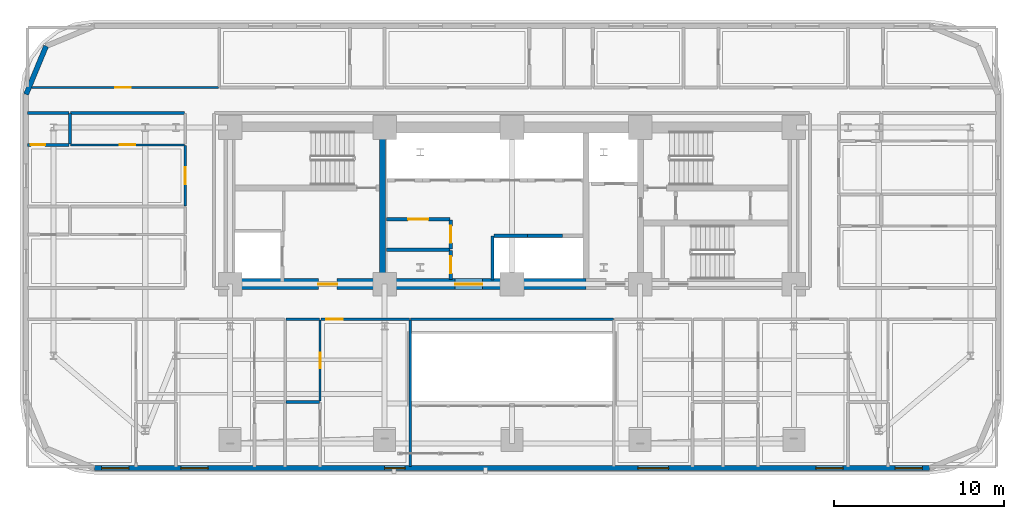
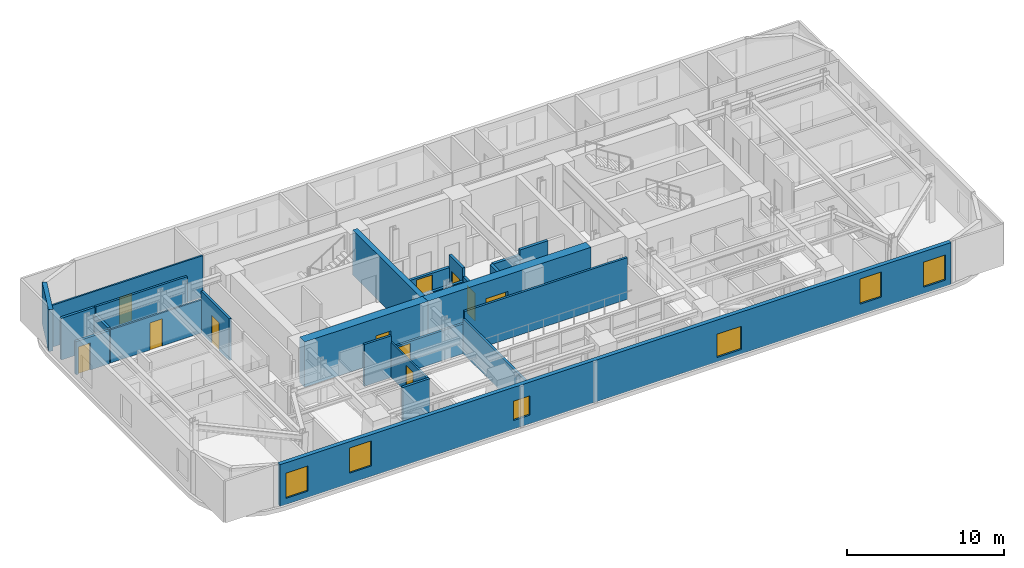
# One storey, part 9 of 16: 25 walls, 11 doors, 6 windows, 17 openings.
"""IFC4 building model written with IfcOpenShell, lengths in metres."""

from ifc_helpers import new_model, si_unit, direction, frame, frame_2d, origin, place, context, subcontext, project, spatial, rectangle, extrude, material, layer, layer_set, type_object, element, fill, save


model = new_model("IFC4")

# Units and contexts
model_context = context("Model", 3, precision=1e-05, world=origin(), true_north=direction((0.0, 1.0)))
body_context = subcontext(model_context, "Body", "Model", "MODEL_VIEW")
ifc_project = project(units=[si_unit("LENGTHUNIT", "METRE"), si_unit("AREAUNIT", "SQUARE_METRE"), si_unit("VOLUMEUNIT", "CUBIC_METRE"), si_unit("PLANEANGLEUNIT", "RADIAN"), si_unit("MASSUNIT", "GRAM", prefix="KILO")], contexts=[model_context])

# Site, building, storey
site_placement = place(None, origin())
site = spatial("IfcSite", under=ifc_project, at=site_placement, CompositionType="ELEMENT")
building_placement = place(site_placement, origin())
building = spatial("IfcBuilding", under=site, at=building_placement, Name="Zarnavel Station Tower", CompositionType="ELEMENT")
storey_placement = place(building_placement, frame((0.0, 0.0, 82.800048828125)))
storey = spatial("IfcBuildingStorey", under=building, at=storey_placement, Name="L22", CompositionType="ELEMENT", Elevation=82.800048828125)

# Wall
ifc_material_1 = material(Name="Concrete C50/60", Category="concrete")
ifc_layer_1 = layer(ifc_material_1, 0.35009765625)
ifc_layer_set_1 = layer_set([ifc_layer_1], Name="CW_350")
wall_type_1 = type_object("IfcWallType", Name="CW_350", PredefinedType="SHEAR", material=ifc_layer_set_1)
wall_1_placement = place(storey_placement, frame((21.179931640625, 28.14501953125, 0.0), z_axis=(0.0, 0.0, 1.0), x_axis=(0.0, 1.0, 0.0)))
element("IfcWall", 1, at=wall_1_placement, inside=storey, type_object=wall_type_1, Name="L22 Rear Core Shear Wall DIV-W", PredefinedType="SHEAR", context=body_context, shape_type="SweptSolid", body=[
    extrude(rectangle(XDim=8.580078125, YDim=0.35009765625, at=frame_2d((4.2900390625, 0.0))), origin(), (0.0, 0.0, 1.0), 3.5),
])

# Wall, opening, door
ifc_material_2 = material(Name="Concrete C60/75", Category="concrete")
ifc_layer_2 = layer(ifc_material_2, 0.64990234375)
ifc_layer_set_2 = layer_set([ifc_layer_2], Name="CW_650")
wall_type_2 = type_object("IfcWallType", Name="CW_650", PredefinedType="SHEAR", material=ifc_layer_set_2)
wall_2_placement = place(storey_placement, frame((21.179931640625, 27.820068359375, 0.0), z_axis=(0.0, 0.0, 1.0), x_axis=(-1.0, 0.0, 0.0)))
wall_2 = element("IfcWall", 2, at=wall_2_placement, inside=storey, type_object=wall_type_2, Name="L22 Rear Core Shear Wall S-W", PredefinedType="SHEAR", context=body_context, shape_type="SweptSolid", body=[
    extrude(rectangle(XDim=9.030029296875, YDim=0.64990234375, at=frame_2d((4.51513671875, 0.0))), origin(), (0.0, 0.0, 1.0), 3.5),
])
opening_1_placement = place(wall_2_placement, frame((2.679931640625, 0.0, 0.0)))
opening_1 = element("IfcOpeningElement", 3, at=opening_1_placement, cuts=wall_2, Name="Opening FD01", PredefinedType="OPENING", context=body_context, shape_type="SweptSolid", body=[
    extrude(rectangle(XDim=1.10009765625, YDim=2.14990234375, at=frame_2d((0.550048828125, 1.074951171875))), frame((0.0, 0.3349609375, 0.0), z_axis=(0.0, -1.0, 0.0), x_axis=(1.0, 0.0, 0.0)), (0.0, 0.0, 1.0), 0.669921875),
])
ifc_material_3 = material(Name="Painted Galvanised Steel and Hardwood Leaf", Category="steel")
door_type_1 = type_object("IfcDoorType", Name="ID_STAIR_1100", OperationType="NOTDEFINED", PredefinedType="DOOR", material=ifc_material_3)
door_1_placement = place(opening_1_placement, origin())
door_1 = element("IfcDoor", 4, at=door_1_placement, inside=storey, type_object=door_type_1, Name="L22 West Firefighting Lobby Door", OperationType="SINGLE_SWING_RIGHT", OverallHeight=2.14990234375, OverallWidth=1.10009765625, PredefinedType="DOOR", context=body_context, shape_type="SweptSolid", body=[
    extrude(rectangle(XDim=1.10009765625, YDim=2.14990234375, at=frame_2d((0.550048828125, 1.074951171875))), frame((0.0, 0.02490234375, 0.0), z_axis=(0.0, -1.0, 0.0), x_axis=(1.0, 0.0, 0.0)), (0.0, 0.0, 1.0), 0.050048828125),
])
fill(opening_1, door_1)

wall_3_placement = place(storey_placement, frame((33.14990234375, 27.820068359375, 0.0), z_axis=(0.0, 0.0, 1.0), x_axis=(-1.0, 0.0, 0.0)))
wall_3 = element("IfcWall", 5, at=wall_3_placement, inside=storey, type_object=wall_type_2, Name="L22 Rear Core Shear Wall S-M", PredefinedType="SHEAR", context=body_context, shape_type="SweptSolid", body=[
    extrude(rectangle(XDim=11.969970703125, YDim=0.64990234375, at=frame_2d((5.98486328125, 0.0))), origin(), (0.0, 0.0, 1.0), 3.5),
])
opening_2_placement = place(wall_3_placement, frame((6.10009765625, 0.0, 0.0)))
opening_2 = element("IfcOpeningElement", 6, at=opening_2_placement, cuts=wall_3, Name="Opening ID03", PredefinedType="OPENING", context=body_context, shape_type="SweptSolid", body=[
    extrude(rectangle(XDim=1.60009765625, YDim=2.199951171875, at=frame_2d((0.800048828125, 1.10009765625))), frame((0.0, 0.3349609375, 0.0), z_axis=(0.0, -1.0, 0.0), x_axis=(1.0, 0.0, 0.0)), (0.0, 0.0, 1.0), 0.669921875),
])
ifc_material_4 = material(Name="Painted Galvanised Steel and Hardwood Leaf", Category="steel")
door_type_2 = type_object("IfcDoorType", Name="ID_PUBLIC_1600", OperationType="DOUBLE_DOOR_SINGLE_SWING", PredefinedType="DOOR", material=ifc_material_4)
door_2_placement = place(opening_2_placement, origin())
door_2 = element("IfcDoor", 7, at=door_2_placement, inside=storey, type_object=door_type_2, Name="L22 Passenger Lift Lobby Double Door", OperationType="SINGLE_SWING_LEFT", OverallHeight=2.199951171875, OverallWidth=1.60009765625, PredefinedType="DOOR", context=body_context, shape_type="SweptSolid", body=[
    extrude(rectangle(XDim=1.60009765625, YDim=2.199951171875, at=frame_2d((0.800048828125, 1.10009765625))), frame((0.0, 0.02490234375, 0.0), z_axis=(0.0, -1.0, 0.0), x_axis=(1.0, 0.0, 0.0)), (0.0, 0.0, 1.0), 0.050048828125),
])
fill(opening_2, door_2)

# Wall
ifc_material_5 = material(Name="Precast concrete C45/55 (Dark Basalt Finish)", Category="masonry")
ifc_layer_3 = layer(ifc_material_5, 0.300048828125)
ifc_layer_set_3 = layer_set([ifc_layer_3], Name="EW_BASALT_300")
wall_type_3 = type_object("IfcWallType", Name="EW_BASALT_300", PredefinedType="SOLIDWALL", material=ifc_layer_set_3)
wall_4_placement = place(storey_placement, frame((0.179931640625, 39.0, 0.0), z_axis=(0.0, 0.0, 1.0), x_axis=(0.382704529509, 0.923870793506, 0.0)))
element("IfcWall", 8, at=wall_4_placement, inside=storey, type_object=wall_type_3, Name="L22 Exterior Basalt Masonry Frame Wall 08", PredefinedType="SOLIDWALL", context=body_context, shape_type="SweptSolid", body=[
    extrude(rectangle(XDim=3.07666015625, YDim=0.300048828125, at=frame_2d((1.538330078125, 0.0))), origin(), (0.0, 0.0, 1.0), 3.239990234375),
])

# Wall, openings, windows
wall_5_placement = place(storey_placement, frame((53.39990234375, 16.97998046875, 0.0), z_axis=(0.0, 0.0, 1.0), x_axis=(-1.0, 0.0, 0.0)))
wall_5 = element("IfcWall", 9, at=wall_5_placement, inside=storey, type_object=wall_type_3, Name="L22 Exterior Basalt Masonry Frame Wall 12", PredefinedType="SOLIDWALL", context=body_context, shape_type="SweptSolid", body=[
    extrude(rectangle(XDim=49.199951171875, YDim=0.300048828125, at=frame_2d((24.60009765625, 0.0))), origin(), (0.0, 0.0, 1.0), 3.239990234375),
])
opening_3_placement = place(wall_5_placement, frame((47.1650390625, 0.0, 0.47998046875)))
opening_3 = element("IfcOpeningElement", 10, at=opening_3_placement, cuts=wall_5, Name="Opening WN06", PredefinedType="OPENING", context=body_context, shape_type="SweptSolid", body=[
    extrude(rectangle(XDim=1.60009765625, YDim=1.949951171875, at=frame_2d((0.800048828125, 0.97509765625))), frame((0.0, 0.159912109375, 0.0), z_axis=(0.0, -1.0, 0.0), x_axis=(1.0, 0.0, 0.0)), (0.0, 0.0, 1.0), 0.320068359375),
])
opening_4_placement = place(wall_5_placement, frame((42.5, 0.0, 0.800048828125)))
opening_4 = element("IfcOpeningElement", 11, at=opening_4_placement, cuts=wall_5, Name="Opening WN06", PredefinedType="OPENING", context=body_context, shape_type="SweptSolid", body=[
    extrude(rectangle(XDim=1.60009765625, YDim=1.949951171875, at=frame_2d((0.800048828125, 0.97509765625))), frame((0.0, 0.159912109375, 0.0), z_axis=(0.0, -1.0, 0.0), x_axis=(1.0, 0.0, 0.0)), (0.0, 0.0, 1.0), 0.320068359375),
])
opening_5_placement = place(wall_5_placement, frame((30.89990234375, 0.0, 0.679931640625)))
opening_5 = element("IfcOpeningElement", 12, at=opening_5_placement, cuts=wall_5, Name="Opening WN08", PredefinedType="OPENING", context=body_context, shape_type="SweptSolid", body=[
    extrude(rectangle(XDim=1.199951171875, YDim=1.5, at=frame_2d((0.60009765625, 0.75))), frame((0.0, 0.159912109375, 0.0), z_axis=(0.0, -1.0, 0.0), x_axis=(1.0, 0.0, 0.0)), (0.0, 0.0, 1.0), 0.320068359375),
])
opening_6_placement = place(wall_5_placement, frame((15.381591796875, 0.0, 0.340087890625)))
opening_6 = element("IfcOpeningElement", 13, at=opening_6_placement, cuts=wall_5, Name="Opening WN02", PredefinedType="OPENING", context=body_context, shape_type="SweptSolid", body=[
    extrude(rectangle(XDim=1.800048828125, YDim=1.800048828125, at=frame_2d((0.89990234375, 0.89990234375))), frame((0.0, 0.159912109375, 0.0), z_axis=(0.0, -1.0, 0.0), x_axis=(1.0, 0.0, 0.0)), (0.0, 0.0, 1.0), 0.320068359375),
])
opening_7_placement = place(wall_5_placement, frame((5.10009765625, 0.0, 0.800048828125)))
opening_7 = element("IfcOpeningElement", 14, at=opening_7_placement, cuts=wall_5, Name="Opening WN06", PredefinedType="OPENING", context=body_context, shape_type="SweptSolid", body=[
    extrude(rectangle(XDim=1.60009765625, YDim=1.949951171875, at=frame_2d((0.800048828125, 0.97509765625))), frame((0.0, 0.159912109375, 0.0), z_axis=(0.0, -1.0, 0.0), x_axis=(1.0, 0.0, 0.0)), (0.0, 0.0, 1.0), 0.320068359375),
])
opening_8_placement = place(wall_5_placement, frame((0.43505859375, 0.0, 0.47998046875)))
opening_8 = element("IfcOpeningElement", 15, at=opening_8_placement, cuts=wall_5, Name="Opening WN06", PredefinedType="OPENING", context=body_context, shape_type="SweptSolid", body=[
    extrude(rectangle(XDim=1.60009765625, YDim=1.949951171875, at=frame_2d((0.800048828125, 0.97509765625))), frame((0.0, 0.159912109375, 0.0), z_axis=(0.0, -1.0, 0.0), x_axis=(1.0, 0.0, 0.0)), (0.0, 0.0, 1.0), 0.320068359375),
])
ifc_material_6 = material(Name="Thermally Broken Black Aluminium and Low-E Dark Glass", Category="aluminium")
window_type_1 = type_object("IfcWindowType", Name="WN_1200x1500", PartitioningType="SINGLE_PANEL", PredefinedType="WINDOW", material=ifc_material_6)
window_1_placement = place(opening_5_placement, origin())
window_1 = element("IfcWindow", 16, at=window_1_placement, inside=storey, type_object=window_type_1, Name="L22 Recessed Facade Window 03", OverallHeight=1.5, OverallWidth=1.199951171875, PartitioningType="SINGLE_PANEL", PredefinedType="WINDOW", context=body_context, shape_type="SweptSolid", body=[
    extrude(rectangle(XDim=1.199951171875, YDim=1.5, at=frame_2d((0.60009765625, 0.75))), frame((0.0, 0.030029296875, 0.0), z_axis=(0.0, -1.0, 0.0), x_axis=(1.0, 0.0, 0.0)), (0.0, 0.0, 1.0), 0.06005859375),
])
fill(opening_5, window_1)
ifc_material_7 = material(Name="Thermally Broken Black Aluminium and Low-E Dark Glass", Category="aluminium")
window_type_2 = type_object("IfcWindowType", Name="WN_1600x1950", PartitioningType="DOUBLE_PANEL_VERTICAL", PredefinedType="WINDOW", material=ifc_material_7)
window_2_placement = place(opening_3_placement, origin())
window_2 = element("IfcWindow", 17, at=window_2_placement, inside=storey, type_object=window_type_2, Name="L22 Recessed Facade Window 01", OverallHeight=1.949951171875, OverallWidth=1.60009765625, PartitioningType="SINGLE_PANEL", PredefinedType="WINDOW", context=body_context, shape_type="SweptSolid", body=[
    extrude(rectangle(XDim=1.60009765625, YDim=1.949951171875, at=frame_2d((0.800048828125, 0.97509765625))), frame((0.0, 0.030029296875, 0.0), z_axis=(0.0, -1.0, 0.0), x_axis=(1.0, 0.0, 0.0)), (0.0, 0.0, 1.0), 0.06005859375),
])
fill(opening_3, window_2)
window_3_placement = place(opening_4_placement, origin())
window_3 = element("IfcWindow", 18, at=window_3_placement, inside=storey, type_object=window_type_2, Name="L22 Recessed Facade Window 02", OverallHeight=1.949951171875, OverallWidth=1.60009765625, PartitioningType="SINGLE_PANEL", PredefinedType="WINDOW", context=body_context, shape_type="SweptSolid", body=[
    extrude(rectangle(XDim=1.60009765625, YDim=1.949951171875, at=frame_2d((0.800048828125, 0.97509765625))), frame((0.0, 0.030029296875, 0.0), z_axis=(0.0, -1.0, 0.0), x_axis=(1.0, 0.0, 0.0)), (0.0, 0.0, 1.0), 0.06005859375),
])
fill(opening_4, window_3)
window_4_placement = place(opening_7_placement, origin())
window_4 = element("IfcWindow", 19, at=window_4_placement, inside=storey, type_object=window_type_2, Name="L22 Recessed Facade Window 05", OverallHeight=1.949951171875, OverallWidth=1.60009765625, PartitioningType="SINGLE_PANEL", PredefinedType="WINDOW", context=body_context, shape_type="SweptSolid", body=[
    extrude(rectangle(XDim=1.60009765625, YDim=1.949951171875, at=frame_2d((0.800048828125, 0.97509765625))), frame((0.0, 0.030029296875, 0.0), z_axis=(0.0, -1.0, 0.0), x_axis=(1.0, 0.0, 0.0)), (0.0, 0.0, 1.0), 0.06005859375),
])
fill(opening_7, window_4)
window_5_placement = place(opening_8_placement, origin())
window_5 = element("IfcWindow", 20, at=window_5_placement, inside=storey, type_object=window_type_2, Name="L22 Recessed Facade Window 06", OverallHeight=1.949951171875, OverallWidth=1.60009765625, PartitioningType="SINGLE_PANEL", PredefinedType="WINDOW", context=body_context, shape_type="SweptSolid", body=[
    extrude(rectangle(XDim=1.60009765625, YDim=1.949951171875, at=frame_2d((0.800048828125, 0.97509765625))), frame((0.0, 0.030029296875, 0.0), z_axis=(0.0, -1.0, 0.0), x_axis=(1.0, 0.0, 0.0)), (0.0, 0.0, 1.0), 0.06005859375),
])
fill(opening_8, window_5)
ifc_material_8 = material(Name="Thermally Broken Black Aluminium and Low-E Dark Glass", Category="aluminium")
window_type_3 = type_object("IfcWindowType", Name="WN_1800x1800", PartitioningType="DOUBLE_PANEL_VERTICAL", PredefinedType="WINDOW", material=ifc_material_8)
window_6_placement = place(opening_6_placement, origin())
window_6 = element("IfcWindow", 21, at=window_6_placement, inside=storey, type_object=window_type_3, Name="L22 Recessed Facade Window 04", OverallHeight=1.800048828125, OverallWidth=1.800048828125, PartitioningType="SINGLE_PANEL", PredefinedType="WINDOW", context=body_context, shape_type="SweptSolid", body=[
    extrude(rectangle(XDim=1.800048828125, YDim=1.800048828125, at=frame_2d((0.89990234375, 0.89990234375))), frame((0.0, 0.030029296875, 0.0), z_axis=(0.0, -1.0, 0.0), x_axis=(1.0, 0.0, 0.0)), (0.0, 0.0, 1.0), 0.06005859375),
])
fill(opening_6, window_6)

# Wall, opening, door
ifc_material_9 = material(Name="Gypsum Twin-Stud Acoustic Fire Partition", Category="concrete")
ifc_layer_4 = layer(ifc_material_9, 0.159912109375)
ifc_layer_set_4 = layer_set([ifc_layer_4], Name="PT_DEMISE_160")
wall_type_4 = type_object("IfcWallType", Name="PT_DEMISE_160", PredefinedType="PARTITIONING", material=ifc_layer_set_4)
wall_6_placement = place(storey_placement, frame((17.541015625, 25.75, 0.0), z_axis=(0.0, 0.0, 1.0), x_axis=(1.0, 0.0, 0.0)))
wall_6 = element("IfcWall", 22, at=wall_6_placement, inside=storey, type_object=wall_type_4, Name="L22 Partition COR-S-HW3R", PredefinedType="PARTITIONING", context=body_context, shape_type="SweptSolid", body=[
    extrude(rectangle(XDim=5.218994140625, YDim=0.159912109375, at=frame_2d((2.609375, 0.0))), origin(), (0.0, 0.0, 1.0), 2.31005859375),
])
opening_9_placement = place(wall_6_placement, frame((0.30419921875, 0.0, 0.0)))
opening_9 = element("IfcOpeningElement", 23, at=opening_9_placement, cuts=wall_6, Name="Opening FD02", PredefinedType="OPENING", context=body_context, shape_type="SweptSolid", body=[
    extrude(rectangle(XDim=1.0, YDim=2.14990234375, at=frame_2d((0.5, 1.074951171875))), frame((0.0, 0.08984375, 0.0), z_axis=(0.0, -1.0, 0.0), x_axis=(1.0, 0.0, 0.0)), (0.0, 0.0, 1.0), 0.179931640625),
])
ifc_material_10 = material(Name="Painted Galvanised Steel and Hardwood Leaf", Category="steel")
door_type_3 = type_object("IfcDoorType", Name="ID_ENTRY_1000", OperationType="NOTDEFINED", PredefinedType="DOOR", material=ifc_material_10)
door_3_placement = place(opening_9_placement, origin())
door_3 = element("IfcDoor", 24, at=door_3_placement, inside=storey, type_object=door_type_3, Name="L22 Door COR-S-HW3R", OperationType="SINGLE_SWING_LEFT", OverallHeight=2.14990234375, OverallWidth=1.0, PredefinedType="DOOR", context=body_context, shape_type="SweptSolid", body=[
    extrude(rectangle(XDim=1.0, YDim=2.14990234375, at=frame_2d((0.5, 1.074951171875))), frame((0.0, 0.02490234375, 0.0), z_axis=(0.0, -1.0, 0.0), x_axis=(1.0, 0.0, 0.0)), (0.0, 0.0, 1.0), 0.050048828125),
])
fill(opening_9, door_3)

# Wall
wall_7_placement = place(storey_placement, frame((15.47998046875, 25.75, 0.0), z_axis=(0.0, 0.0, 1.0), x_axis=(1.0, 0.0, 0.0)))
element("IfcWall", 25, at=wall_7_placement, inside=storey, type_object=wall_type_4, Name="L22 Partition COR-S-HW3S", PredefinedType="PARTITIONING", context=body_context, shape_type="SweptSolid", body=[
    extrude(rectangle(XDim=1.98095703125, YDim=0.159912109375, at=frame_2d((0.990478515625, 0.0))), origin(), (0.0, 0.0, 1.0), 3.239990234375),
])

# Wall, opening, door
wall_8_placement = place(storey_placement, frame((9.550048828125, 32.430908203125, 0.0), z_axis=(0.0, 0.0, 1.0), x_axis=(0.0, 1.0, 0.0)))
wall_8 = element("IfcWall", 26, at=wall_8_placement, inside=storey, type_object=wall_type_4, Name="L22 Partition COR-W-FNW2R", PredefinedType="PARTITIONING", context=body_context, shape_type="SweptSolid", body=[
    extrude(rectangle(XDim=3.55615234375, YDim=0.159912109375, at=frame_2d((1.778076171875, 0.0))), origin(), (0.0, 0.0, 1.0), 3.239990234375),
])
opening_10_placement = place(wall_8_placement, frame((1.278076171875, 0.0, 0.0)))
opening_10 = element("IfcOpeningElement", 27, at=opening_10_placement, cuts=wall_8, Name="Opening FD02", PredefinedType="OPENING", context=body_context, shape_type="SweptSolid", body=[
    extrude(rectangle(XDim=1.0, YDim=2.14990234375, at=frame_2d((0.5, 1.074951171875))), frame((0.0, 0.08984375, 0.0), z_axis=(0.0, -1.0, 0.0), x_axis=(1.0, 0.0, 0.0)), (0.0, 0.0, 1.0), 0.179931640625),
])
door_4_placement = place(opening_10_placement, origin())
door_4 = element("IfcDoor", 28, at=door_4_placement, inside=storey, type_object=door_type_3, Name="L22 Door COR-W-FNW2R", OperationType="SINGLE_SWING_RIGHT", OverallHeight=2.14990234375, OverallWidth=1.0, PredefinedType="DOOR", context=body_context, shape_type="SweptSolid", body=[
    extrude(rectangle(XDim=1.0, YDim=2.14990234375, at=frame_2d((0.5, 1.074951171875))), frame((0.0, 0.02490234375, 0.0), z_axis=(0.0, -1.0, 0.0), x_axis=(1.0, 0.0, 0.0)), (0.0, 0.0, 1.0), 0.050048828125),
])
fill(opening_10, door_4)

# Walls
wall_9_placement = place(storey_placement, frame((2.800048828125, 37.89990234375, 0.0), z_axis=(0.0, 0.0, 1.0), x_axis=(1.0, 0.0, 0.0)))
element("IfcWall", 29, at=wall_9_placement, inside=storey, type_object=wall_type_4, Name="L22 Partition COR-N-FNW2S", PredefinedType="PARTITIONING", context=body_context, shape_type="SweptSolid", body=[
    extrude(rectangle(XDim=6.7099609375, YDim=0.159912109375, at=frame_2d((3.35498046875, 0.0))), origin(), (0.0, 0.0, 1.0), 3.239990234375),
])
wall_10_placement = place(storey_placement, frame((22.830078125, 25.75, 0.0), z_axis=(0.0, 0.0, 1.0), x_axis=(1.0, 0.0, 0.0)))
element("IfcWall", 30, at=wall_10_placement, inside=storey, type_object=wall_type_4, Name="L22 Enclosure Wall COR-S", PredefinedType="PARTITIONING", context=body_context, shape_type="SweptSolid", body=[
    extrude(rectangle(XDim=11.93994140625, YDim=0.159912109375, at=frame_2d((5.969970703125, 0.0))), origin(), (0.0, 0.0, 1.0), 3.239990234375),
])
wall_11_placement = place(storey_placement, frame((22.800048828125, 17.090087890625, 0.0), z_axis=(0.0, 0.0, 1.0), x_axis=(0.0, 1.0, 0.0)))
element("IfcWall", 31, at=wall_11_placement, inside=storey, type_object=wall_type_4, Name="L22 Enclosure Wall HW3R", PredefinedType="PARTITIONING", context=body_context, shape_type="SweptSolid", body=[
    extrude(rectangle(XDim=8.6298828125, YDim=0.159912109375, at=frame_2d((4.31494140625, 0.0))), origin(), (0.0, 0.0, 1.0), 2.679931640625),
])

# Wall, opening, door
ifc_material_11 = material(Name="Gypsum Metal-Stud Interior Partition", Category="concrete")
ifc_layer_5 = layer(ifc_material_11, 0.1201171875)
ifc_layer_set_5 = layer_set([ifc_layer_5], Name="PT_ROOM_120")
wall_type_5 = type_object("IfcWallType", Name="PT_ROOM_120", PredefinedType="PARTITIONING", material=ifc_layer_set_5)
wall_12_placement = place(storey_placement, frame((0.260009765625, 39.39990234375, 0.0), z_axis=(0.0, 0.0, 1.0), x_axis=(1.0, 0.0, 0.0)))
wall_12 = element("IfcWall", 32, at=wall_12_placement, inside=storey, type_object=wall_type_5, Name="L22 Partition COR-N-HSKP", PredefinedType="PARTITIONING", context=body_context, shape_type="SweptSolid", body=[
    extrude(rectangle(XDim=11.260009765625, YDim=0.1201171875, at=frame_2d((5.6298828125, 0.0))), origin(), (0.0, 0.0, 1.0), 3.239990234375),
])
opening_11_placement = place(wall_12_placement, frame((5.179931640625, 0.0, 0.0)))
opening_11 = element("IfcOpeningElement", 33, at=opening_11_placement, cuts=wall_12, Name="Opening ID01", PredefinedType="OPENING", context=body_context, shape_type="SweptSolid", body=[
    extrude(rectangle(XDim=0.89990234375, YDim=2.10009765625, at=frame_2d((0.449951171875, 1.050048828125))), frame((0.0, 0.070068359375, 0.0), z_axis=(0.0, -1.0, 0.0), x_axis=(1.0, 0.0, 0.0)), (0.0, 0.0, 1.0), 0.14013671875),
])
ifc_material_12 = material(Name="Painted Galvanised Steel and Hardwood Leaf", Category="steel")
door_type_4 = type_object("IfcDoorType", Name="ID_ROOM_900", OperationType="NOTDEFINED", PredefinedType="DOOR", material=ifc_material_12)
door_5_placement = place(opening_11_placement, origin())
door_5 = element("IfcDoor", 34, at=door_5_placement, inside=storey, type_object=door_type_4, Name="L22 Door COR-N-HSKP", OperationType="SINGLE_SWING_LEFT", OverallHeight=2.10009765625, OverallWidth=0.89990234375, PredefinedType="DOOR", context=body_context, shape_type="SweptSolid", body=[
    extrude(rectangle(XDim=0.89990234375, YDim=2.10009765625, at=frame_2d((0.449951171875, 1.050048828125))), frame((0.0, 0.02490234375, 0.0), z_axis=(0.0, -1.0, 0.0), x_axis=(1.0, 0.0, 0.0)), (0.0, 0.0, 1.0), 0.050048828125),
])
fill(opening_11, door_5)

wall_13_placement = place(storey_placement, frame((2.800048828125, 36.027099609375, 0.0), z_axis=(0.0, 0.0, 1.0), x_axis=(1.0, 0.0, 0.0)))
wall_13 = element("IfcWall", 35, at=wall_13_placement, inside=storey, type_object=wall_type_5, Name="L22 Partition FNW2R-FNW2S", PredefinedType="PARTITIONING", context=body_context, shape_type="SweptSolid", body=[
    extrude(rectangle(XDim=6.7099609375, YDim=0.1201171875, at=frame_2d((3.35498046875, 0.0))), origin(), (0.0, 0.0, 1.0), 2.570068359375),
])
opening_12_placement = place(wall_13_placement, frame((2.905029296875, 0.0, 0.0)))
opening_12 = element("IfcOpeningElement", 36, at=opening_12_placement, cuts=wall_13, Name="Opening ID01", PredefinedType="OPENING", context=body_context, shape_type="SweptSolid", body=[
    extrude(rectangle(XDim=0.89990234375, YDim=2.10009765625, at=frame_2d((0.449951171875, 1.050048828125))), frame((0.0, 0.070068359375, 0.0), z_axis=(0.0, -1.0, 0.0), x_axis=(1.0, 0.0, 0.0)), (0.0, 0.0, 1.0), 0.14013671875),
])
door_6_placement = place(opening_12_placement, origin())
door_6 = element("IfcDoor", 37, at=door_6_placement, inside=storey, type_object=door_type_4, Name="L22 Door FNW2R-FNW2S", OperationType="SINGLE_SWING_RIGHT", OverallHeight=2.10009765625, OverallWidth=0.89990234375, PredefinedType="DOOR", context=body_context, shape_type="SweptSolid", body=[
    extrude(rectangle(XDim=0.89990234375, YDim=2.10009765625, at=frame_2d((0.449951171875, 1.050048828125))), frame((0.0, 0.02490234375, 0.0), z_axis=(0.0, -1.0, 0.0), x_axis=(1.0, 0.0, 0.0)), (0.0, 0.0, 1.0), 0.050048828125),
])
fill(opening_12, door_6)

wall_14_placement = place(storey_placement, frame((17.5009765625, 20.924072265625, 0.0), z_axis=(0.0, 0.0, 1.0), x_axis=(0.0, 1.0, 0.0)))
wall_14 = element("IfcWall", 38, at=wall_14_placement, inside=storey, type_object=wall_type_5, Name="L22 Partition HW3R-HW3S", PredefinedType="PARTITIONING", context=body_context, shape_type="SweptSolid", body=[
    extrude(rectangle(XDim=4.785888671875, YDim=0.1201171875, at=frame_2d((2.39306640625, 0.0))), origin(), (0.0, 0.0, 1.0), 2.719970703125),
])
opening_13_placement = place(wall_14_placement, frame((1.943115234375, 0.0, 0.0)))
opening_13 = element("IfcOpeningElement", 39, at=opening_13_placement, cuts=wall_14, Name="Opening ID01", PredefinedType="OPENING", context=body_context, shape_type="SweptSolid", body=[
    extrude(rectangle(XDim=0.89990234375, YDim=2.10009765625, at=frame_2d((0.449951171875, 1.050048828125))), frame((0.0, 0.070068359375, 0.0), z_axis=(0.0, -1.0, 0.0), x_axis=(1.0, 0.0, 0.0)), (0.0, 0.0, 1.0), 0.14013671875),
])
door_7_placement = place(opening_13_placement, origin())
door_7 = element("IfcDoor", 40, at=door_7_placement, inside=storey, type_object=door_type_4, Name="L22 Door HW3R-HW3S", OperationType="SINGLE_SWING_LEFT", OverallHeight=2.10009765625, OverallWidth=0.89990234375, PredefinedType="DOOR", context=body_context, shape_type="SweptSolid", body=[
    extrude(rectangle(XDim=0.89990234375, YDim=2.10009765625, at=frame_2d((0.449951171875, 1.050048828125))), frame((0.0, 0.02490234375, 0.0), z_axis=(0.0, -1.0, 0.0), x_axis=(1.0, 0.0, 0.0)), (0.0, 0.0, 1.0), 0.050048828125),
])
fill(opening_13, door_7)

# Walls
ifc_material_13 = material(Name="Precast concrete C45/55 (Fire Shaft Blockwork)", Category="masonry")
ifc_layer_6 = layer(ifc_material_13, 0.199951171875)
ifc_layer_set_6 = layer_set([ifc_layer_6], Name="PT_SHAFT_200")
wall_type_6 = type_object("IfcWallType", Name="PT_SHAFT_200", PredefinedType="PARTITIONING", material=ifc_layer_set_6)
wall_15_placement = place(storey_placement, frame((27.75, 30.669921875, 0.0), z_axis=(0.0, 0.0, 1.0), x_axis=(1.0, 0.0, 0.0)))
element("IfcWall", 41, at=wall_15_placement, inside=storey, type_object=wall_type_6, Name="L22 Lift PL-H1 Shaft Front Wall", PredefinedType="PARTITIONING", context=body_context, shape_type="SweptSolid", body=[
    extrude(rectangle(XDim=1.97509765625, YDim=0.199951171875, at=frame_2d((0.987548828125, 0.0))), origin(), (0.0, 0.0, 1.0), 2.2119140625),
])
wall_16_placement = place(storey_placement, frame((27.64990234375, 28.070068359375, 0.0), z_axis=(0.0, 0.0, 1.0), x_axis=(0.0, 1.0, 0.0)))
element("IfcWall", 42, at=wall_16_placement, inside=storey, type_object=wall_type_6, Name="L22 High-Rise Lift Bank West Shaft Wall", PredefinedType="PARTITIONING", context=body_context, shape_type="SweptSolid", body=[
    extrude(rectangle(XDim=2.579833984375, YDim=0.199951171875, at=frame_2d((1.2900390625, 0.0))), origin(), (0.0, 0.0, 1.0), 2.2119140625),
])
wall_17_placement = place(storey_placement, frame((29.72509765625, 30.669921875, 0.0), z_axis=(0.0, 0.0, 1.0), x_axis=(1.0, 0.0, 0.0)))
element("IfcWall", 43, at=wall_17_placement, inside=storey, type_object=wall_type_6, Name="L22 Lift PL-H2 Shaft Front Wall", PredefinedType="PARTITIONING", context=body_context, shape_type="SweptSolid", body=[
    extrude(rectangle(XDim=2.0498046875, YDim=0.199951171875, at=frame_2d((1.02490234375, 0.0))), origin(), (0.0, 0.0, 1.0), 2.619873046875),
])

# Wall, opening, door
wall_18_placement = place(storey_placement, frame((21.39990234375, 31.64990234375, 0.0), z_axis=(0.0, 0.0, 1.0), x_axis=(1.0, 0.0, 0.0)))
wall_18 = element("IfcWall", 44, at=wall_18_placement, inside=storey, type_object=wall_type_6, Name="L22 Partition LLOB-CS2", PredefinedType="PARTITIONING", context=body_context, shape_type="SweptSolid", body=[
    extrude(rectangle(XDim=3.760009765625, YDim=0.199951171875, at=frame_2d((1.8798828125, 0.0))), origin(), (0.0, 0.0, 1.0), 2.280029296875),
])
opening_14_placement = place(wall_18_placement, frame((1.280029296875, 0.0, 0.0)))
opening_14 = element("IfcOpeningElement", 45, at=opening_14_placement, cuts=wall_18, Name="Opening FD03", PredefinedType="OPENING", context=body_context, shape_type="SweptSolid", body=[
    extrude(rectangle(XDim=1.199951171875, YDim=2.14990234375, at=frame_2d((0.60009765625, 1.074951171875))), frame((0.0, 0.10986328125, 0.0), z_axis=(0.0, -1.0, 0.0), x_axis=(1.0, 0.0, 0.0)), (0.0, 0.0, 1.0), 0.219970703125),
])
ifc_material_14 = material(Name="Painted Galvanised Steel and Hardwood Leaf", Category="steel")
door_type_5 = type_object("IfcDoorType", Name="ID_PLANT_1200", OperationType="NOTDEFINED", PredefinedType="DOOR", material=ifc_material_14)
door_8_placement = place(opening_14_placement, origin())
door_8 = element("IfcDoor", 46, at=door_8_placement, inside=storey, type_object=door_type_5, Name="L22 Door LLOB-CS2", OperationType="SINGLE_SWING_RIGHT", OverallHeight=2.14990234375, OverallWidth=1.199951171875, PredefinedType="DOOR", context=body_context, shape_type="SweptSolid", body=[
    extrude(rectangle(XDim=1.199951171875, YDim=2.14990234375, at=frame_2d((0.60009765625, 1.074951171875))), frame((0.0, 0.02490234375, 0.0), z_axis=(0.0, -1.0, 0.0), x_axis=(1.0, 0.0, 0.0)), (0.0, 0.0, 1.0), 0.050048828125),
])
fill(opening_14, door_8)

wall_19_placement = place(storey_placement, frame((25.199951171875, 28.090087890625, 0.0), z_axis=(0.0, 0.0, 1.0), x_axis=(0.0, 1.0, 0.0)))
wall_19 = element("IfcWall", 47, at=wall_19_placement, inside=storey, type_object=wall_type_6, Name="L22 Partition LLOBS-CS1", PredefinedType="PARTITIONING", context=body_context, shape_type="SweptSolid", body=[
    extrude(rectangle(XDim=1.719970703125, YDim=0.199951171875, at=frame_2d((0.85986328125, 0.0))), origin(), (0.0, 0.0, 1.0), 2.619873046875),
])
opening_15_placement = place(wall_19_placement, frame((0.360107421875, 0.0, 0.0)))
opening_15 = element("IfcOpeningElement", 48, at=opening_15_placement, cuts=wall_19, Name="Opening FD02", PredefinedType="OPENING", context=body_context, shape_type="SweptSolid", body=[
    extrude(rectangle(XDim=1.0, YDim=2.14990234375, at=frame_2d((0.5, 1.074951171875))), frame((0.0, 0.10986328125, 0.0), z_axis=(0.0, -1.0, 0.0), x_axis=(1.0, 0.0, 0.0)), (0.0, 0.0, 1.0), 0.219970703125),
])
door_9_placement = place(opening_15_placement, origin())
door_9 = element("IfcDoor", 49, at=door_9_placement, inside=storey, type_object=door_type_3, Name="L22 Door LLOBS-CS1", OperationType="SINGLE_SWING_LEFT", OverallHeight=2.14990234375, OverallWidth=1.0, PredefinedType="DOOR", context=body_context, shape_type="SweptSolid", body=[
    extrude(rectangle(XDim=1.0, YDim=2.14990234375, at=frame_2d((0.5, 1.074951171875))), frame((0.0, 0.02490234375, 0.0), z_axis=(0.0, -1.0, 0.0), x_axis=(1.0, 0.0, 0.0)), (0.0, 0.0, 1.0), 0.050048828125),
])
fill(opening_15, door_9)

wall_20_placement = place(storey_placement, frame((25.199951171875, 29.889892578125, 0.0), z_axis=(0.0, 0.0, 1.0), x_axis=(0.0, 1.0, 0.0)))
wall_20 = element("IfcWall", 50, at=wall_20_placement, inside=storey, type_object=wall_type_6, Name="L22 Partition LLOBS-CS2", PredefinedType="PARTITIONING", context=body_context, shape_type="SweptSolid", body=[
    extrude(rectangle(XDim=1.72021484375, YDim=0.199951171875, at=frame_2d((0.860107421875, 0.0))), origin(), (0.0, 0.0, 1.0), 3.239990234375),
])
opening_16_placement = place(wall_20_placement, frame((0.360107421875, 0.0, 0.0)))
opening_16 = element("IfcOpeningElement", 51, at=opening_16_placement, cuts=wall_20, Name="Opening FD02", PredefinedType="OPENING", context=body_context, shape_type="SweptSolid", body=[
    extrude(rectangle(XDim=1.0, YDim=2.14990234375, at=frame_2d((0.5, 1.074951171875))), frame((0.0, 0.10986328125, 0.0), z_axis=(0.0, -1.0, 0.0), x_axis=(1.0, 0.0, 0.0)), (0.0, 0.0, 1.0), 0.219970703125),
])
door_10_placement = place(opening_16_placement, origin())
door_10 = element("IfcDoor", 52, at=door_10_placement, inside=storey, type_object=door_type_3, Name="L22 Door LLOBS-CS2", OperationType="SINGLE_SWING_RIGHT", OverallHeight=2.14990234375, OverallWidth=1.0, PredefinedType="DOOR", context=body_context, shape_type="SweptSolid", body=[
    extrude(rectangle(XDim=1.0, YDim=2.14990234375, at=frame_2d((0.5, 1.074951171875))), frame((0.0, 0.02490234375, 0.0), z_axis=(0.0, -1.0, 0.0), x_axis=(1.0, 0.0, 0.0)), (0.0, 0.0, 1.0), 0.050048828125),
])
fill(opening_16, door_10)

# Walls
wall_21_placement = place(storey_placement, frame((21.39990234375, 29.85009765625, 0.0), z_axis=(0.0, 0.0, 1.0), x_axis=(1.0, 0.0, 0.0)))
element("IfcWall", 53, at=wall_21_placement, inside=storey, type_object=wall_type_6, Name="L22 Partition CS1-CS2", PredefinedType="PARTITIONING", context=body_context, shape_type="SweptSolid", body=[
    extrude(rectangle(XDim=3.760009765625, YDim=0.199951171875, at=frame_2d((1.8798828125, 0.0))), origin(), (0.0, 0.0, 1.0), 2.280029296875),
])
ifc_material_15 = material(Name="Moisture-Resistant Plumbing Chase Wall", Category="concrete")
ifc_layer_7 = layer(ifc_material_15, 0.179931640625)
ifc_layer_set_7 = layer_set([ifc_layer_7], Name="PW_PLUMB_180")
wall_type_7 = type_object("IfcWallType", Name="PW_PLUMB_180", PredefinedType="PLUMBINGWALL", material=ifc_layer_set_7)
wall_22_placement = place(storey_placement, frame((0.260009765625, 37.89990234375, 0.0), z_axis=(0.0, 0.0, 1.0), x_axis=(1.0, 0.0, 0.0)))
element("IfcWall", 54, at=wall_22_placement, inside=storey, type_object=wall_type_7, Name="L22 Partition COR-N-FNW2B", PredefinedType="PLUMBINGWALL", context=body_context, shape_type="SweptSolid", body=[
    extrude(rectangle(XDim=2.4599609375, YDim=0.179931640625, at=frame_2d((1.22998046875, 0.0))), origin(), (0.0, 0.0, 1.0), 3.239990234375),
])

# Wall, opening, door
wall_23_placement = place(storey_placement, frame((0.260009765625, 36.027099609375, 0.0), z_axis=(0.0, 0.0, 1.0), x_axis=(1.0, 0.0, 0.0)))
wall_23 = element("IfcWall", 55, at=wall_23_placement, inside=storey, type_object=wall_type_7, Name="L22 Partition FNW2R-FNW2B", PredefinedType="PLUMBINGWALL", context=body_context, shape_type="SweptSolid", body=[
    extrude(rectangle(XDim=2.4599609375, YDim=0.179931640625, at=frame_2d((1.22998046875, 0.0))), origin(), (0.0, 0.0, 1.0), 2.570068359375),
])
opening_17_placement = place(wall_23_placement, frame((0.1953125, 0.0, 0.0)))
opening_17 = element("IfcOpeningElement", 56, at=opening_17_placement, cuts=wall_23, Name="Opening ID02", PredefinedType="OPENING", context=body_context, shape_type="SweptSolid", body=[
    extrude(rectangle(XDim=0.85009765625, YDim=2.10009765625, at=frame_2d((0.425048828125, 1.050048828125))), frame((0.0, 0.099853515625, 0.0), z_axis=(0.0, -1.0, 0.0), x_axis=(1.0, 0.0, 0.0)), (0.0, 0.0, 1.0), 0.199951171875),
])
ifc_material_16 = material(Name="Painted Galvanised Steel and Hardwood Leaf", Category="steel")
door_type_6 = type_object("IfcDoorType", Name="ID_BATH_850", OperationType="NOTDEFINED", PredefinedType="DOOR", material=ifc_material_16)
door_11_placement = place(opening_17_placement, origin())
door_11 = element("IfcDoor", 57, at=door_11_placement, inside=storey, type_object=door_type_6, Name="L22 Door FNW2R-FNW2B", OperationType="SINGLE_SWING_LEFT", OverallHeight=2.10009765625, OverallWidth=0.85009765625, PredefinedType="DOOR", context=body_context, shape_type="SweptSolid", body=[
    extrude(rectangle(XDim=0.85009765625, YDim=2.10009765625, at=frame_2d((0.425048828125, 1.050048828125))), frame((0.0, 0.02490234375, 0.0), z_axis=(0.0, -1.0, 0.0), x_axis=(1.0, 0.0, 0.0)), (0.0, 0.0, 1.0), 0.050048828125),
])
fill(opening_17, door_11)

# Walls
wall_24_placement = place(storey_placement, frame((2.760009765625, 36.06689453125, 0.0), z_axis=(0.0, 0.0, 1.0), x_axis=(0.0, 1.0, 0.0)))
element("IfcWall", 58, at=wall_24_placement, inside=storey, type_object=wall_type_7, Name="L22 Partition FNW2B-FNW2S", PredefinedType="PLUMBINGWALL", context=body_context, shape_type="SweptSolid", body=[
    extrude(rectangle(XDim=1.793212890625, YDim=0.179931640625, at=frame_2d((0.896484375, 0.0))), origin(), (0.0, 0.0, 1.0), 2.719970703125),
])
wall_25_placement = place(storey_placement, frame((15.47998046875, 20.884033203125, 0.0), z_axis=(0.0, 0.0, 1.0), x_axis=(1.0, 0.0, 0.0)))
element("IfcWall", 59, at=wall_25_placement, inside=storey, type_object=wall_type_7, Name="L22 Partition HW3B-HW3S", PredefinedType="PLUMBINGWALL", context=body_context, shape_type="SweptSolid", body=[
    extrude(rectangle(XDim=1.98095703125, YDim=0.179931640625, at=frame_2d((0.990478515625, 0.0))), origin(), (0.0, 0.0, 1.0), 2.869873046875),
])

save(model, "model.ifc")
